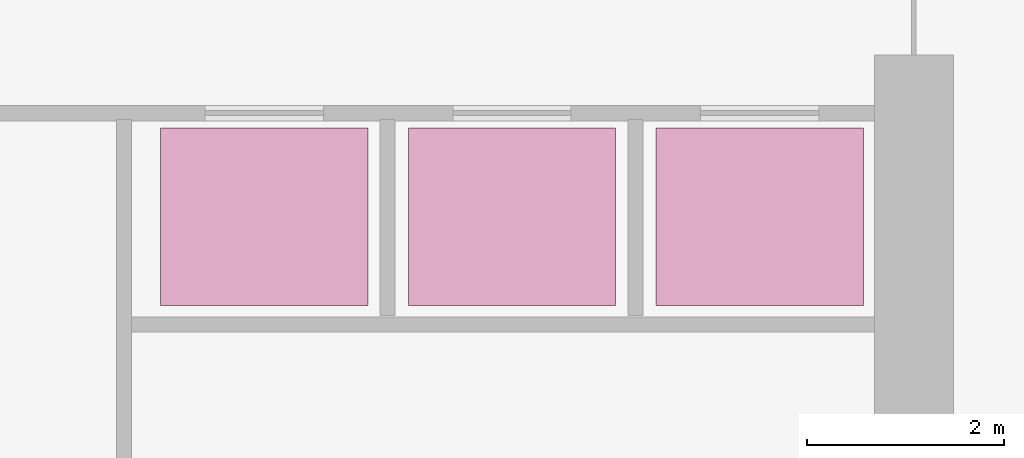
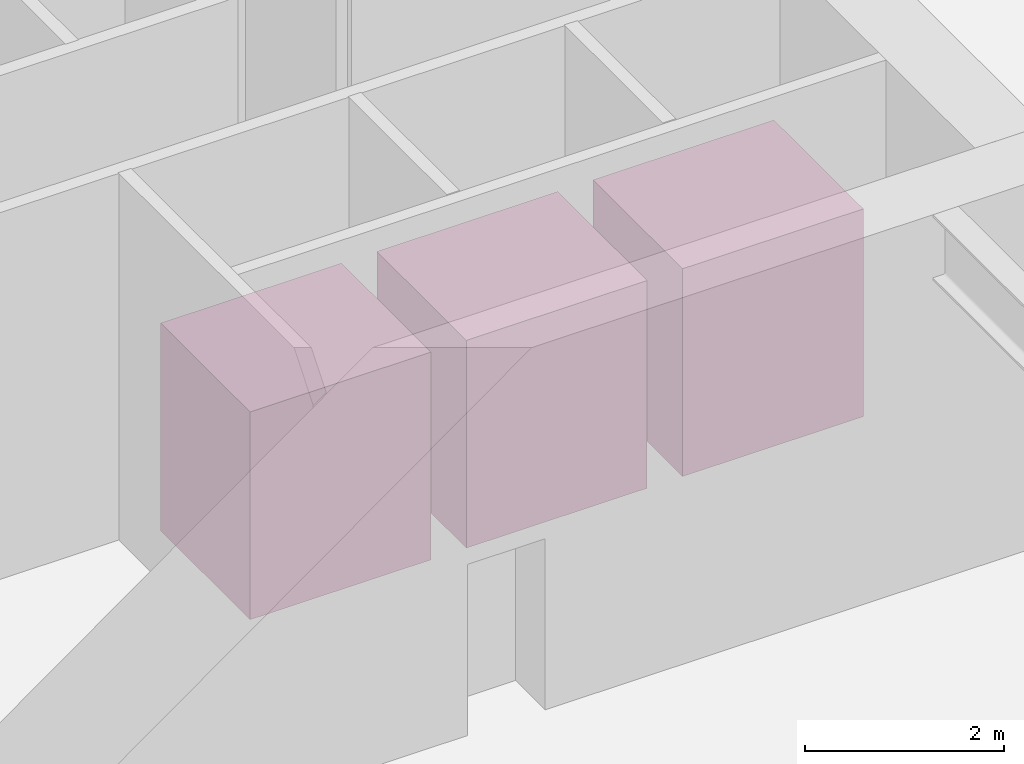
# One storey, part 15 of 15: 3 transport elements.
"""IFC4 building model written with IfcOpenShell, lengths in metres."""

from ifc_helpers import new_model, si_unit, direction, frame, origin, origin_2d, place, context, subcontext, project, spatial, rectangle, extrude, material, type_object, element, save


model = new_model("IFC4")

# Units and contexts
model_context = context("Model", 3, precision=1e-05, world=origin(), true_north=direction((0.0, 1.0)))
body_context = subcontext(model_context, "Body", "Model", "MODEL_VIEW")
ifc_project = project(units=[si_unit("LENGTHUNIT", "METRE"), si_unit("AREAUNIT", "SQUARE_METRE"), si_unit("VOLUMEUNIT", "CUBIC_METRE"), si_unit("PLANEANGLEUNIT", "RADIAN"), si_unit("MASSUNIT", "GRAM", prefix="KILO")], contexts=[model_context])

# Site, building, storey
site_placement = place(None, origin())
site = spatial("IfcSite", under=ifc_project, at=site_placement, CompositionType="ELEMENT")
building_placement = place(site_placement, origin())
building = spatial("IfcBuilding", under=site, at=building_placement, Name="Haolan Belvedere Tower", CompositionType="ELEMENT")
storey_placement = place(building_placement, frame((0.0, 0.0, -4.800048828125)))
storey = spatial("IfcBuildingStorey", under=building, at=storey_placement, Name="B1", CompositionType="ELEMENT", Elevation=-4.800048828125)

# Transport elements
ifc_material = material(Name="Brushed champagne stainless steel and laminated glass cab", Category="steel")
transport_element_type = type_object("IfcTransportElementType", Name="LFT-OBS-2000", PredefinedType="ELEVATOR", material=ifc_material)
for number, where, z_axis, x_axis, name in (
    (1, (40.219970703125, 29.75, 0.0), (0.0, 0.0, 1.0), (1.0, 0.0, 0.0), "Passenger elevator car OB1"),
    (2, (42.72998046875, 29.75, 0.0), (0.0, 0.0, 1.0), (1.0, 0.0, 0.0), "Passenger elevator car OB2"),
    (3, (45.239990234375, 29.75, 0.0), (0.0, 0.0, 1.0), (1.0, 0.0, 0.0), "Passenger elevator car OB3"),
):
    element("IfcTransportElement", number, at=place(storey_placement, frame(where, z_axis=z_axis, x_axis=x_axis)), inside=storey, type_object=transport_element_type, Name=name, PredefinedType="ELEVATOR", context=body_context, shape_type="SweptSolid", body=[
        extrude(rectangle(XDim=2.10009765625, YDim=1.800048828125, at=origin_2d()), origin(), (0.0, 0.0, 1.0), 2.550048828125),
    ])

save(model, "model.ifc")
